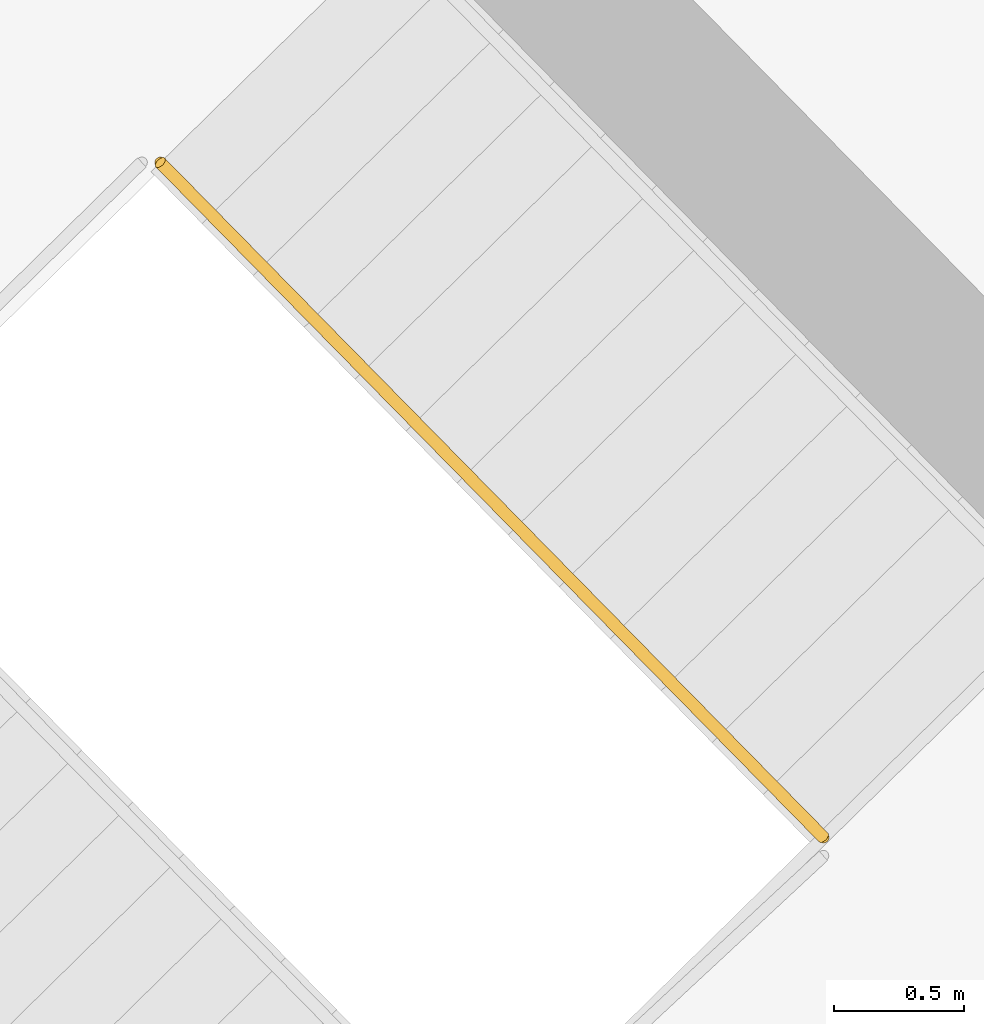
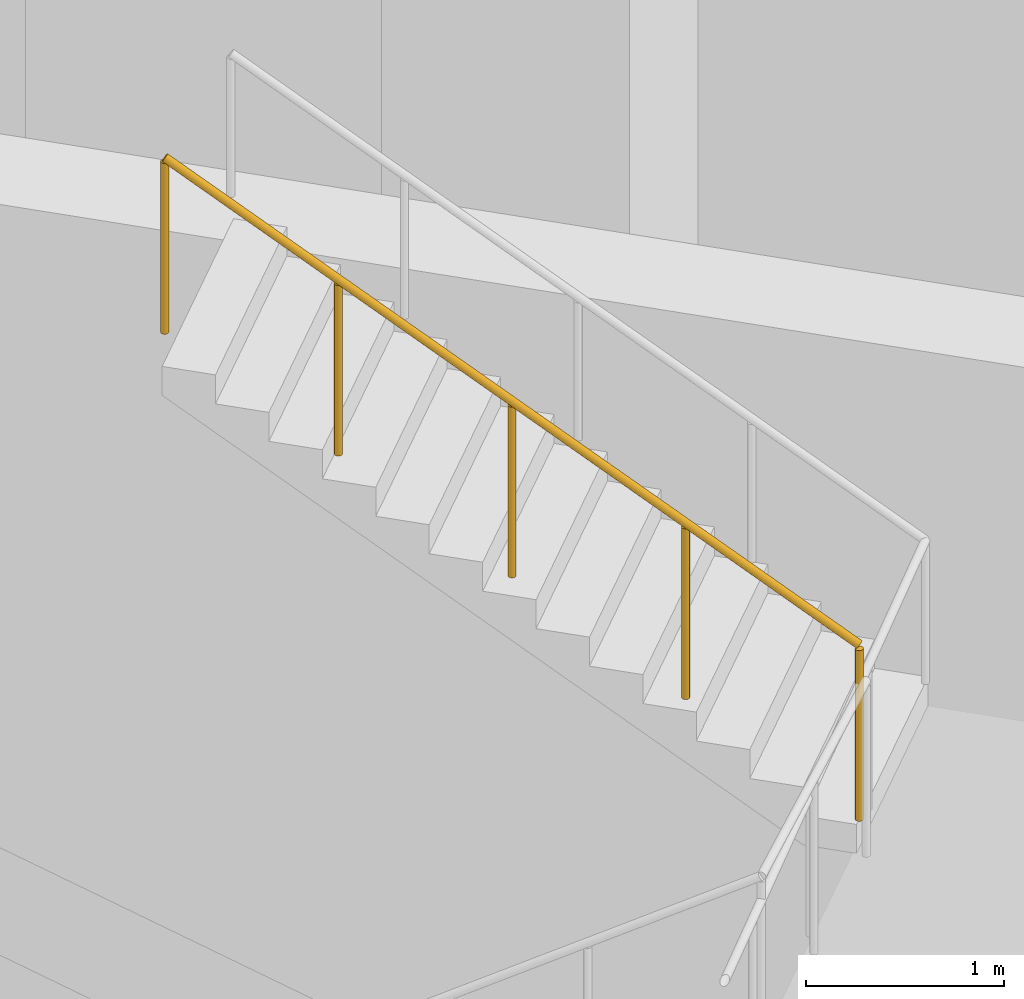
# One storey, part 10 of 10: 1 railing.
"""IFC4 building model written with IfcOpenShell, lengths in metres."""

import ifcopenshell
import ifcopenshell.guid

model = None  # the IFC model being written
_history = None  # IfcOwnerHistory: only IFC2X3 demands one
_inside = {}  # id of a spatial element -> (the spatial element, [elements in it])
_under = {}  # id of a project, library or spatial element -> (it, [spatial elements below it])
_declared = {}  # id of a project -> (the project, [libraries it declares])
_typed = {}  # id of a type object -> (the type object, [elements of that type])
_made_of = {}  # id of a material, layer set ... -> (it, [elements and type objects made of it])


def new_model(schema):
    """Start an empty IFC model of exactly this schema.

    Asked for "IFC4X3", IfcOpenShell would pick the latest addendum, in which some entities
    have other attributes; the version numbers below select the first issue.
    IFC2X3 requires an IfcOwnerHistory on every rooted entity: one is made here for all.
    """
    global model, _history
    if schema == "IFC4X3":
        model = ifcopenshell.file(schema_version=(4, 3, 0, 0))
    else:
        model = ifcopenshell.file(schema=schema)
    _inside.clear()
    _under.clear()
    _declared.clear()
    _typed.clear()
    _made_of.clear()
    _history = None
    if model.schema == "IFC2X3":
        org = make("IfcOrganization", Name="unknown")
        user = make(
            "IfcPersonAndOrganization",
            ThePerson=make("IfcPerson", FamilyName="unknown"),
            TheOrganization=org,
        )
        app = make(
            "IfcApplication",
            ApplicationDeveloper=org,
            Version="unknown",
            ApplicationFullName="unknown",
            ApplicationIdentifier="unknown",
        )
        _history = make(
            "IfcOwnerHistory",
            OwningUser=user,
            OwningApplication=app,
            ChangeAction="ADDED",
            CreationDate=0,
        )
    return model


def make(cls, **values):
    """One entity of the class cls with the attributes given. An attribute that is None is left unset."""
    return model.create_entity(
        cls, **{name: value for name, value in values.items() if value is not None}
    )


def rooted(cls, **values):
    """An entity with a GlobalId (a new one), such as an element, a storey or a relation."""
    return make(cls, GlobalId=ifcopenshell.guid.new(), OwnerHistory=_history, **values)


def si_unit(unit_type, name, prefix=None):
    """IfcSIUnit, for example si_unit("LENGTHUNIT", "METRE", prefix="MILLI")."""
    return make("IfcSIUnit", UnitType=unit_type, Prefix=prefix, Name=name)


def assignment(units):
    """IfcUnitAssignment: the units of a project."""
    return None if units is None else make("IfcUnitAssignment", Units=units)


def point(xyz):
    """IfcCartesianPoint."""
    return None if xyz is None else make("IfcCartesianPoint", Coordinates=xyz)


def direction(xyz):
    """IfcDirection."""
    return None if xyz is None else make("IfcDirection", DirectionRatios=xyz)


def frame(location, z_axis=None, x_axis=None):
    """IfcAxis2Placement3D, a coordinate frame: its origin and axes. An axis left out is left unset."""
    return make(
        "IfcAxis2Placement3D",
        Location=point(location),
        Axis=direction(z_axis),
        RefDirection=direction(x_axis),
    )


def frame_2d(location, x_axis=None):
    """IfcAxis2Placement2D, a coordinate frame in the plane: its origin and x axis."""
    return make(
        "IfcAxis2Placement2D", Location=point(location), RefDirection=direction(x_axis)
    )


def origin():
    """The frame at (0, 0, 0) with its axes left unset."""
    return frame((0.0, 0.0, 0.0))


def origin_2d():
    """The frame at (0, 0) in the plane with its x axis left unset."""
    return frame_2d((0.0, 0.0))


def place(relative_to, where):
    """IfcLocalPlacement: puts the frame where relative to a parent placement (None: the world)."""
    return make(
        "IfcLocalPlacement", PlacementRelTo=relative_to, RelativePlacement=where
    )


def context(
    kind, dimensions, precision=None, world=None, true_north=None, identifier=None
):
    """IfcGeometricRepresentationContext, for example the 3D "Model" context."""
    return make(
        "IfcGeometricRepresentationContext",
        ContextIdentifier=identifier,
        ContextType=kind,
        CoordinateSpaceDimension=dimensions,
        Precision=precision,
        WorldCoordinateSystem=world,
        TrueNorth=true_north,
    )


def subcontext(parent, identifier, kind, view, scale=None):
    """IfcGeometricRepresentationSubContext, for example "Body" below "Model"."""
    return make(
        "IfcGeometricRepresentationSubContext",
        ContextIdentifier=identifier,
        ContextType=kind,
        ParentContext=parent,
        TargetScale=scale,
        TargetView=view,
    )


def project(units=None, contexts=None):
    """IfcProject with its units and contexts."""
    return rooted(
        "IfcProject",
        Name="project",
        RepresentationContexts=contexts,
        UnitsInContext=assignment(units),
    )


def spatial(cls, under=None, at=None, **own):
    """A site, building, storey or space (cls), placed at a placement, below another one or the project."""
    s = rooted(cls, ObjectPlacement=at, **own)
    if under is not None:
        _under.setdefault(under.id(), (under, []))[1].append(s)
    return s


def profile(cls, at=None, kind="AREA", **sizes):
    """A parametric profile (cls). Its sizes go by their IFC names, for example OverallWidth=200.0."""
    return make(cls, ProfileType=kind, Position=at, **sizes)


def circle(**sizes):
    """IfcCircleProfileDef."""
    return profile("IfcCircleProfileDef", **sizes)


def extrude(swept, where, along, depth):
    """IfcExtrudedAreaSolid: the profile swept, set in the frame where, extruded along a direction by depth."""
    return make(
        "IfcExtrudedAreaSolid",
        SweptArea=swept,
        Position=where,
        ExtrudedDirection=direction(along),
        Depth=depth,
    )


def shape(context_of_items, identifier, shape_type, items):
    """IfcShapeRepresentation: the items that make up one representation, for example the "Body"."""
    return make(
        "IfcShapeRepresentation",
        ContextOfItems=context_of_items,
        RepresentationIdentifier=identifier,
        RepresentationType=shape_type,
        Items=items,
    )


def material(Name=None, Category=None):
    """IfcMaterial."""
    return make("IfcMaterial", Name=Name, Category=Category)


def made_of(thing, what):
    """Note that an element or type object is made of a material, layer set ...; save() writes the relation."""
    if what is not None:
        _made_of.setdefault(what.id(), (what, []))[1].append(thing)
    return thing


def type_object(cls, material=None, **own):
    """A type object (cls), such as IfcWallType, which elements share."""
    return made_of(rooted(cls, **own), material)


def element(
    cls,
    number,
    at=None,
    inside=None,
    cuts=None,
    type_object=None,
    material=None,
    context=None,
    identifier="Body",
    shape_type=None,
    held_by="IfcProductDefinitionShape",
    body=None,
    shapes=None,
    **own,
):
    """One element of the class cls, such as IfcWall. Its Tag is "e" and its number.

    at: its placement. inside: the storey or other place that contains it. cuts: it is an
    opening in that element (IfcRelVoidsElement). A single representation is given by context,
    identifier, shape_type and body (its items); several are given by shapes. held_by: the class
    of the entity that holds the representations. save() writes the other relations.
    """
    e = rooted(cls, Tag="e%d" % number, ObjectPlacement=at, **own)
    if body is not None:
        shapes = [shape(context, identifier, shape_type, body)]
    if shapes is not None:
        e.Representation = make(held_by, Representations=shapes)
    if inside is not None:
        _inside.setdefault(inside.id(), (inside, []))[1].append(e)
    if cuts is not None:
        rooted(
            "IfcRelVoidsElement", RelatingBuildingElement=cuts, RelatedOpeningElement=e
        )
    if type_object is not None:
        _typed.setdefault(type_object.id(), (type_object, []))[1].append(e)
    return made_of(e, material)


def aggregate(whole, parts):
    """IfcRelAggregates: a whole, such as a stair, and the parts it consists of."""
    return rooted("IfcRelAggregates", RelatingObject=whole, RelatedObjects=parts)


def save(model, path):
    """Write the relations noted so far, then the file.

    IfcRelAggregates (storeys below a building ...), IfcRelContainedInSpatialStructure (elements
    in a storey), IfcRelDefinesByType, IfcRelAssociatesMaterial and IfcRelDeclares: one each for
    every whole, place, type object, material and project.
    """
    for whole, parts in _under.values():
        aggregate(whole, parts)
    for where, things in _inside.values():
        rooted(
            "IfcRelContainedInSpatialStructure",
            RelatedElements=things,
            RelatingStructure=where,
        )
    for kind, things in _typed.values():
        rooted("IfcRelDefinesByType", RelatedObjects=things, RelatingType=kind)
    for what, things in _made_of.values():
        rooted("IfcRelAssociatesMaterial", RelatedObjects=things, RelatingMaterial=what)
    for by, libraries in _declared.values():
        rooted("IfcRelDeclares", RelatingContext=by, RelatedDefinitions=libraries)
    model.write(path)


model = new_model("IFC4")

# Units and contexts
model_context = context("Model", 3, precision=1e-05, world=origin(), true_north=direction((0.0, 1.0)))
body_context = subcontext(model_context, "Body", "Model", "MODEL_VIEW")
ifc_project = project(units=[si_unit("LENGTHUNIT", "METRE"), si_unit("AREAUNIT", "SQUARE_METRE"), si_unit("VOLUMEUNIT", "CUBIC_METRE"), si_unit("PLANEANGLEUNIT", "RADIAN"), si_unit("MASSUNIT", "GRAM", prefix="KILO")], contexts=[model_context])

# Site, building, storey
site_placement = place(None, origin())
site = spatial("IfcSite", under=ifc_project, at=site_placement, CompositionType="ELEMENT")
building_placement = place(site_placement, origin())
building = spatial("IfcBuilding", under=site, at=building_placement, Name="Binnacle Exchange Tower", CompositionType="ELEMENT")
storey_placement = place(building_placement, frame((0.0, 0.0, 61.5)))
storey = spatial("IfcBuildingStorey", under=building, at=storey_placement, Name="L12", CompositionType="ELEMENT", Elevation=61.5)

# Railing
ifc_material = material(Name="Steel guard rail", Category="steel")
railing_type = type_object("IfcRailingType", Name="STAIR GUARD 1100", PredefinedType="GUARDRAIL", material=ifc_material)
railing_placement = place(storey_placement, frame((44.693359375, 45.747314453125, 2.678466796875)))
element("IfcRailing", 1, at=railing_placement, inside=storey, type_object=railing_type, Name="L12 STB1 stair guard 2", PredefinedType="GUARDRAIL", context=body_context, shape_type="SweptSolid", body=[
    extrude(circle(Radius=0.02392578125, at=origin_2d()), frame((0.0, 0.0, 1.076171875), z_axis=(-0.590946962671, 0.60135215321, 0.537733461056), x_axis=(-0.713250539553, -0.700909172309, 0.0)), (0.0, 0.0, 1.0), 4.317138671875),
    extrude(circle(Radius=0.02099609375, at=origin_2d()), origin(), (0.0, 0.0, 1.0), 1.052001953125),
    extrude(circle(Radius=0.02099609375, at=origin_2d()), frame((-0.6376953125, 0.64892578125, 0.580322265625)), (0.0, 0.0, 1.0), 1.052001953125),
    extrude(circle(Radius=0.02099609375, at=origin_2d()), frame((-1.275634765625, 1.298095703125, 1.16064453125)), (0.0, 0.0, 1.0), 1.052001953125),
    extrude(circle(Radius=0.02099609375, at=origin_2d()), frame((-1.91357421875, 1.947265625, 1.7412109375)), (0.0, 0.0, 1.0), 1.052001953125),
    extrude(circle(Radius=0.02099609375, at=origin_2d()), frame((-2.55126953125, 2.59619140625, 2.321533203125)), (0.0, 0.0, 1.0), 1.052001953125),
])

save(model, "model.ifc")
